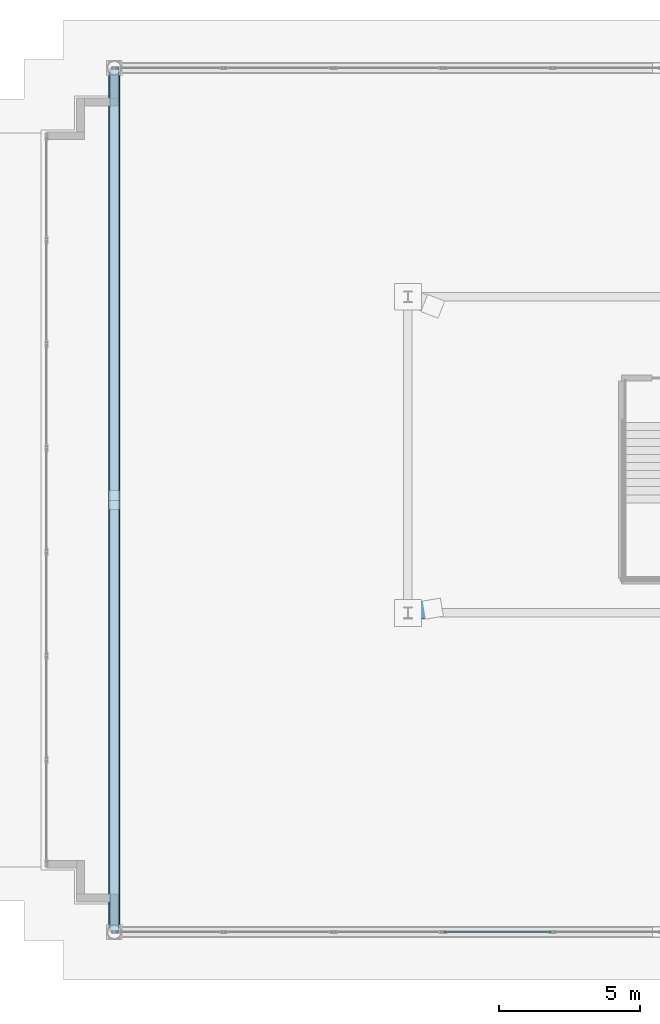
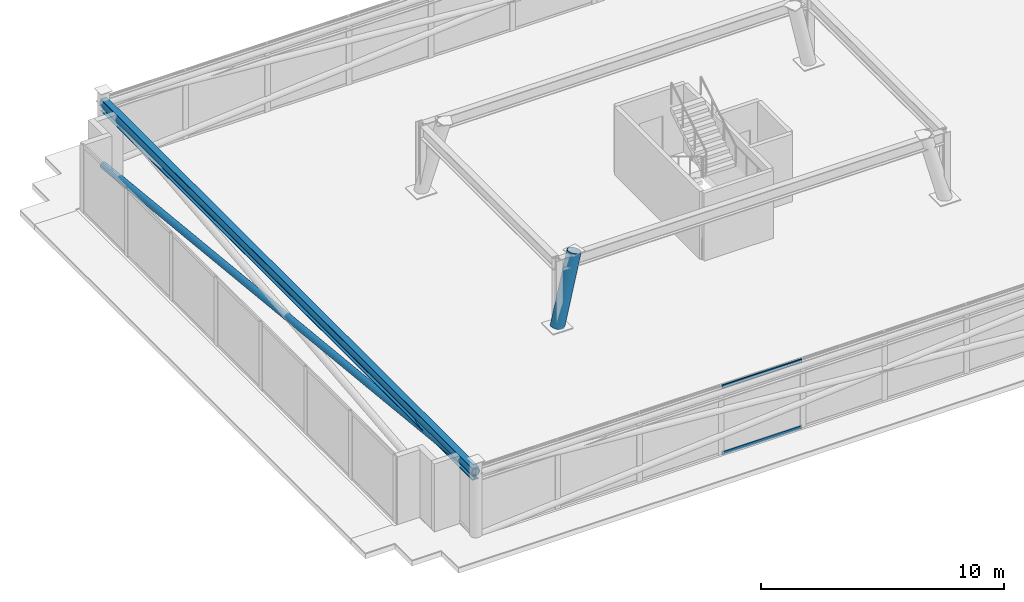
# One storey, part 5 of 23: 5 members, 1 beam, 1 element without a shape of its own.
"""IFC4 building model written with IfcOpenShell, lengths in metres."""

from ifc_helpers import new_model, si_unit, direction, frame, origin, origin_2d, place, context, subcontext, project, spatial, hollow_rectangle, hollow_circle, i_section, extrude, material, layer, layer_set, material_profile, profile_set, type_object, element, aggregate, save


model = new_model("IFC4")

# Units and contexts
model_context = context("Model", 3, precision=1e-05, world=origin(), true_north=direction((0.0, 1.0)))
body_context = subcontext(model_context, "Body", "Model", "MODEL_VIEW")
ifc_project = project(units=[si_unit("LENGTHUNIT", "METRE"), si_unit("AREAUNIT", "SQUARE_METRE"), si_unit("VOLUMEUNIT", "CUBIC_METRE"), si_unit("PLANEANGLEUNIT", "RADIAN"), si_unit("MASSUNIT", "GRAM", prefix="KILO")], contexts=[model_context])

# Site, building, storey
site_placement = place(None, origin())
site = spatial("IfcSite", under=ifc_project, at=site_placement, CompositionType="ELEMENT")
building_placement = place(site_placement, origin())
building = spatial("IfcBuilding", under=site, at=building_placement, Name="Qobustan Lattice House", CompositionType="ELEMENT")
storey_placement = place(building_placement, frame((0.0, 0.0, 270.199951171875)))
storey = spatial("IfcBuildingStorey", under=building, at=storey_placement, Name="L76", CompositionType="ELEMENT", Elevation=270.199951171875)

# Beam
ifc_material_1 = material(Name="Steel S355", Category="steel")
ifc_material_profile_1 = material_profile(ifc_material_1, i_section(OverallWidth=0.300048828125, OverallDepth=0.60009765625, WebThickness=0.015380859375, FlangeThickness=0.030029296875, FilletRadius=0.027099609375, at=origin_2d()), Name="HEB600")
ifc_profile_set_1 = profile_set([ifc_material_profile_1], Name="Steel S355")
beam_type = type_object("IfcBeamType", Name="BM-POD-HEB600", PredefinedType="USERDEFINED", material=ifc_profile_set_1)
beam_placement = place(storey_placement, frame((-19.60009765625, 13.699951171875, 3.10009765625), z_axis=(0.0, -1.0, 0.0), x_axis=(1.0, 0.0, 0.0)))
element("IfcBeam", 1, at=beam_placement, inside=storey, type_object=beam_type, Name="L76 crown perimeter ring beam 4", ObjectType="GIRDER", PredefinedType="USERDEFINED", context=body_context, shape_type="SweptSolid", body=[
    extrude(i_section(OverallWidth=0.300048828125, OverallDepth=0.60009765625, WebThickness=0.015380859375, FlangeThickness=0.030029296875, FilletRadius=0.027099609375, at=origin_2d()), origin(), (0.0, 0.0, 1.0), 30.599853515625),
])

# Curtain wall, members
ifc_material_2 = material(Name="Anodised aluminium and low-E glazing", Category="aluminium")
ifc_layer = layer(ifc_material_2, 0.219970703125)
ifc_layer_set = layer_set([ifc_layer], Name="Anodised aluminium and low-E glazing")
curtain_wall_type = type_object("IfcCurtainWallType", Name="CW-CRN-01", PredefinedType="USERDEFINED", material=ifc_layer_set)
curtain_wall_placement = place(storey_placement, origin())
curtain_wall = element("IfcCurtainWall", 2, at=curtain_wall_placement, inside=storey, type_object=curtain_wall_type, Name="L76 glass-point crown faceted curtain wall 20", ObjectType="CURTAIN WALL", PredefinedType="USERDEFINED")
ifc_material_3 = material(Name="Anodised aluminium EN AW-6063 T6", Category="aluminium")
ifc_material_profile_2 = material_profile(ifc_material_3, hollow_rectangle(XDim=0.06494140625, YDim=0.159912109375, WallThickness=0.00390625, at=origin_2d()), Name="CWT-160x65")
ifc_profile_set_2 = profile_set([ifc_material_profile_2], Name="Anodised aluminium EN AW-6063 T6")
member_type_1 = type_object("IfcMemberType", Name="CWT-HOR-160", PredefinedType="USERDEFINED", material=ifc_profile_set_2)
member_1_placement = place(storey_placement, frame((-4.125, -16.89990234375, 0.032470703125), z_axis=(-1.0, 0.0, 0.0), x_axis=(0.0, -1.0, 0.0)))
member_1 = element("IfcMember", 3, at=member_1_placement, type_object=member_type_1, Name="CW-CR transom 7.1", ObjectType="TRANSOM", PredefinedType="USERDEFINED", context=body_context, shape_type="SweptSolid", body=[
    extrude(hollow_rectangle(XDim=0.06494140625, YDim=0.159912109375, WallThickness=0.00390625, at=origin_2d()), origin(), (0.0, 0.0, 1.0), 3.7900390625),
])
member_2_placement = place(storey_placement, frame((-4.125, -16.89990234375, 3.367431640625), z_axis=(-1.0, 0.0, 0.0), x_axis=(0.0, -1.0, 0.0)))
member_2 = element("IfcMember", 4, at=member_2_placement, type_object=member_type_1, Name="CW-CR transom 7.2", ObjectType="TRANSOM", PredefinedType="USERDEFINED", context=body_context, shape_type="SweptSolid", body=[
    extrude(hollow_rectangle(XDim=0.06494140625, YDim=0.159912109375, WallThickness=0.00390625, at=origin_2d()), origin(), (0.0, 0.0, 1.0), 3.7900390625),
])
aggregate(curtain_wall, [member_1, member_2])

# Members
ifc_material_4 = material(Name="Steel S355", Category="steel")
ifc_material_profile_3 = material_profile(ifc_material_4, hollow_circle(Radius=0.161865234375, WallThickness=0.012451171875, at=origin_2d()), Name="CHS323.9x12.5")
ifc_profile_set_3 = profile_set([ifc_material_profile_3], Name="Steel S355")
member_type_2 = type_object("IfcMemberType", Name="MEM-CBR-CHS324", PredefinedType="BRACE", material=ifc_profile_set_3)
member_3_placement = place(storey_placement, frame((-19.60009765625, 13.699951171875, 0.01513671875), z_axis=(0.0, -0.994694146404, 0.102876406965), x_axis=(1.0, 0.0, 0.0)))
element("IfcMember", 5, at=member_3_placement, inside=storey, type_object=member_type_2, Name="L76 crown diagrid continuous brace 4A", PredefinedType="BRACE", context=body_context, shape_type="SweptSolid", body=[
    extrude(hollow_circle(Radius=0.161865234375, WallThickness=0.012451171875, at=origin_2d()), origin(), (0.0, 0.0, 1.0), 30.76318359375),
])
ifc_material_5 = material(Name="Steel S355", Category="steel")
ifc_material_profile_4 = material_profile(ifc_material_5, hollow_circle(Radius=0.203125, WallThickness=0.01611328125, at=origin_2d()), Name="CHS406.4x16")
ifc_profile_set_4 = profile_set([ifc_material_profile_4], Name="Steel S355")
member_type_3 = type_object("IfcMemberType", Name="MEM-RNG-CHS406", PredefinedType="CHORD", material=ifc_profile_set_4)
member_4_placement = place(storey_placement, frame((-19.60009765625, 13.699951171875, 3.179931640625), z_axis=(0.0, -1.0, 0.0), x_axis=(1.0, 0.0, 0.0)))
element("IfcMember", 6, at=member_4_placement, inside=storey, type_object=member_type_3, Name="L76 crown ring chord 4", PredefinedType="CHORD", context=body_context, shape_type="SweptSolid", body=[
    extrude(hollow_circle(Radius=0.203125, WallThickness=0.01611328125, at=origin_2d()), origin(), (0.0, 0.0, 1.0), 30.599853515625),
])
ifc_material_6 = material(Name="Steel S355", Category="steel")
ifc_material_profile_5 = material_profile(ifc_material_6, hollow_circle(Radius=0.304931640625, WallThickness=0.02490234375, at=origin_2d()), Name="CHS610x25")
ifc_profile_set_5 = profile_set([ifc_material_profile_5], Name="Steel S355")
member_type_4 = type_object("IfcMemberType", Name="MEM-SPR-CHS610", PredefinedType="USERDEFINED", material=ifc_profile_set_5)
member_5_placement = place(storey_placement, frame((-9.199951171875, -5.60009765625, 0.0), z_axis=(0.250684416543, 0.042984391645, 0.96711409119), x_axis=(-0.169001704881, 0.985615758674, 0.0)))
element("IfcMember", 7, at=member_5_placement, inside=storey, type_object=member_type_4, Name="L76 crown spire leg SL1", ObjectType="CROWN FRAME", PredefinedType="USERDEFINED", context=body_context, shape_type="SweptSolid", body=[
    extrude(hollow_circle(Radius=0.304931640625, WallThickness=0.02490234375, at=origin_2d()), origin(), (0.0, 0.0, 1.0), 3.515869140625),
])

save(model, "model.ifc")
